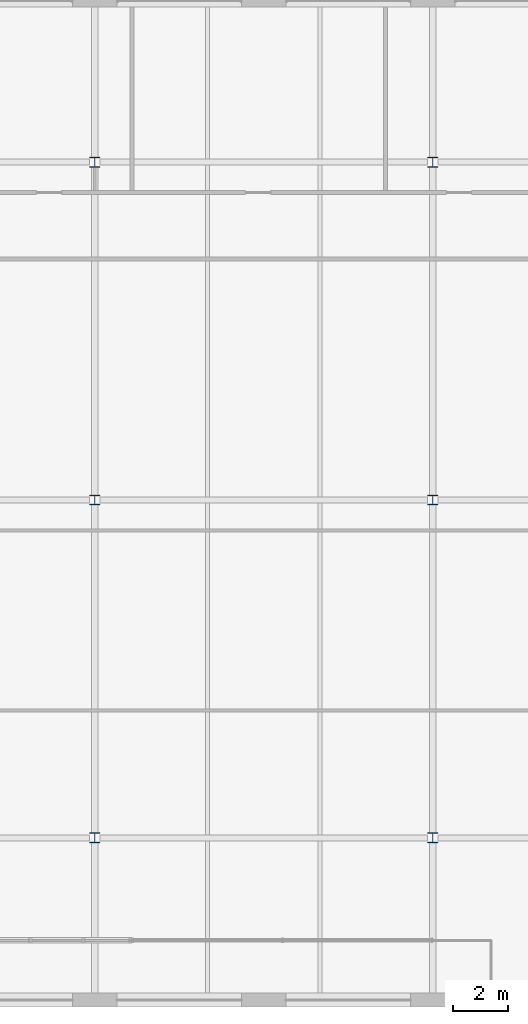
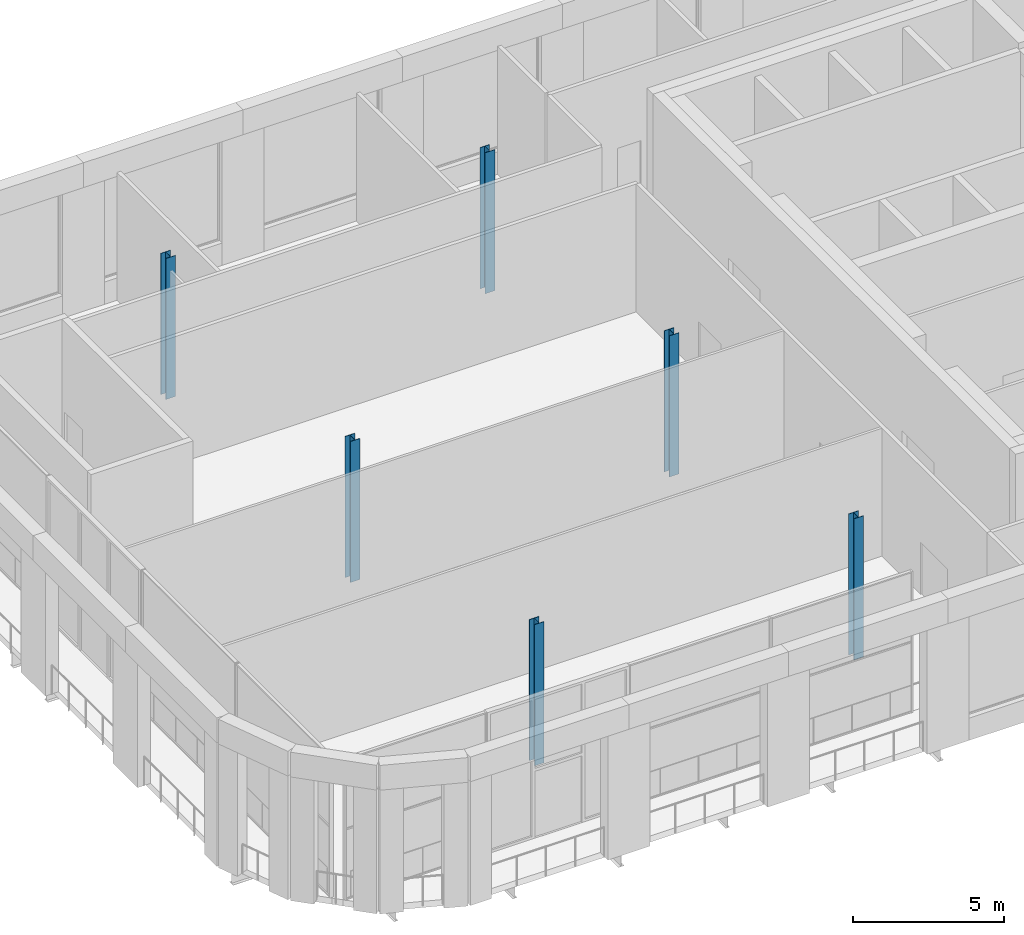
# One storey, part 1 of 19: 6 columns.
"""IFC4 building model written with IfcOpenShell, lengths in metres."""

from ifc_helpers import new_model, si_unit, direction, frame, origin, origin_2d, place, context, subcontext, project, spatial, i_section, extrude, material, material_profile, profile_set, type_object, element, save


model = new_model("IFC4")

# Units and contexts
model_context = context("Model", 3, precision=1e-05, world=origin(), true_north=direction((0.0, 1.0)))
body_context = subcontext(model_context, "Body", "Model", "MODEL_VIEW")
ifc_project = project(units=[si_unit("LENGTHUNIT", "METRE"), si_unit("AREAUNIT", "SQUARE_METRE"), si_unit("VOLUMEUNIT", "CUBIC_METRE"), si_unit("PLANEANGLEUNIT", "RADIAN"), si_unit("MASSUNIT", "GRAM", prefix="KILO")], contexts=[model_context])

# Site, building, storey
site_placement = place(None, origin())
site = spatial("IfcSite", under=ifc_project, at=site_placement, CompositionType="ELEMENT")
building_placement = place(site_placement, origin())
building = spatial("IfcBuilding", under=site, at=building_placement, Name="Tessera Gate Towers", CompositionType="ELEMENT")
storey_placement = place(building_placement, frame((0.0, 0.0, 259.699951171875)))
storey = spatial("IfcBuildingStorey", under=building, at=storey_placement, Name="L65", CompositionType="ELEMENT", Elevation=259.699951171875)

# Columns
ifc_material = material(Name="Steel 350W", Category="steel")
ifc_material_profile = material_profile(ifc_material, i_section(OverallWidth=0.368896484375, OverallDepth=0.35595703125, WebThickness=0.01123046875, FlangeThickness=0.01806640625, at=origin_2d()), Name="W360x134")
ifc_profile_set = profile_set([ifc_material_profile], Name="Steel 350W")
column_type = type_object("IfcColumnType", Name="STEEL COLUMN W360x134", PredefinedType="COLUMN", material=ifc_profile_set)
for number, where, z_axis, x_axis, name in (
    (1, (12.199951171875, 24.39990234375, 0.0), (0.0, 0.0, 1.0), (1.0, 0.0, 0.0), "T1-COL-2C-L65"),
    (2, (12.199951171875, 36.60009765625, 0.0), (0.0, 0.0, 1.0), (1.0, 0.0, 0.0), "T1-COL-2D-L65"),
    (3, (12.199951171875, 48.800048828125, 0.0), (0.0, 0.0, 1.0), (1.0, 0.0, 0.0), "T1-COL-2E-L65"),
    (4, (24.39990234375, 24.39990234375, 0.0), (0.0, 0.0, 1.0), (1.0, 0.0, 0.0), "T1-COL-3C-L65"),
    (5, (24.39990234375, 36.60009765625, 0.0), (0.0, 0.0, 1.0), (1.0, 0.0, 0.0), "T1-COL-3D-L65"),
    (6, (24.39990234375, 48.800048828125, 0.0), (0.0, 0.0, 1.0), (1.0, 0.0, 0.0), "T1-COL-3E-L65"),
):
    element("IfcColumn", number, at=place(storey_placement, frame(where, z_axis=z_axis, x_axis=x_axis)), inside=storey, type_object=column_type, Name=name, PredefinedType="COLUMN", context=body_context, shape_type="SweptSolid", body=[
        extrude(i_section(OverallWidth=0.368896484375, OverallDepth=0.35595703125, WebThickness=0.01123046875, FlangeThickness=0.01806640625, at=origin_2d()), origin(), (0.0, 0.0, 1.0), 5.699951171875),
    ])

save(model, "model.ifc")
